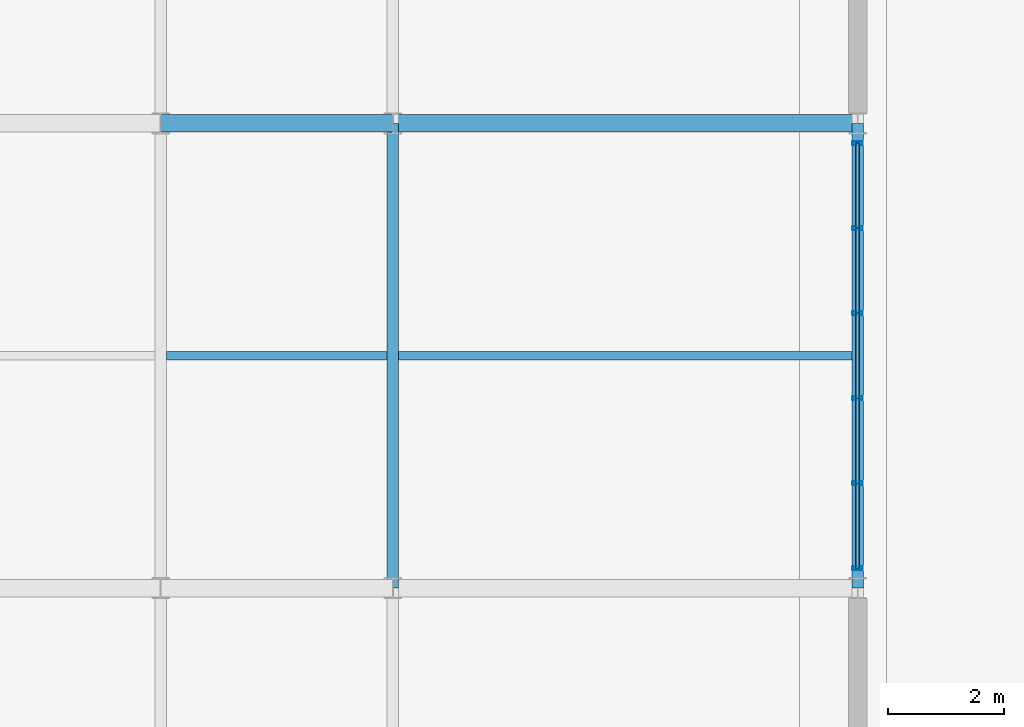
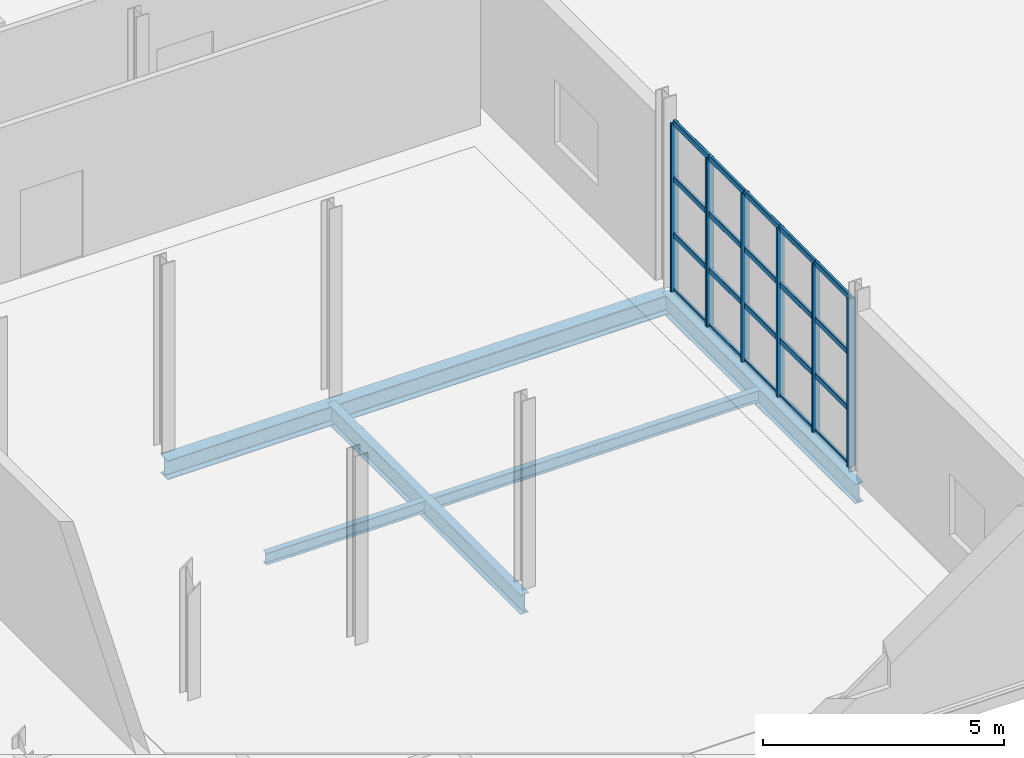
# One storey, part 100 of 143: 26 members, 6 beams, 1 element without a shape of its own.
"""IFC4 building model written with IfcOpenShell, lengths in metres."""

from ifc_helpers import new_model, si_unit, derived_unit, direction, frame, origin, origin_2d, place, context, subcontext, project, spatial, hollow_rectangle, i_section, extrude, material, material_profile, profile_set, type_object, element, aggregate, save


model = new_model("IFC4")

# Units and contexts
model_context = context("Model", 3, precision=1e-05, world=origin(), true_north=direction((0.0, 1.0)))
body_context = subcontext(model_context, "Body", "Model", "MODEL_VIEW")
ifc_project = project(units=[si_unit("LENGTHUNIT", "METRE"), si_unit("AREAUNIT", "SQUARE_METRE"), si_unit("VOLUMEUNIT", "CUBIC_METRE"), si_unit("PLANEANGLEUNIT", "RADIAN"), si_unit("MASSUNIT", "GRAM", prefix="KILO"), derived_unit("THERMALTRANSMITTANCEUNIT", [(si_unit("POWERUNIT", "WATT"), 1), (si_unit("LENGTHUNIT", "METRE"), -2), (si_unit("THERMODYNAMICTEMPERATUREUNIT", "KELVIN"), -1)])], contexts=[model_context])

# Site, building, storey
site_placement = place(None, origin())
site = spatial("IfcSite", under=ifc_project, at=site_placement, CompositionType="ELEMENT")
building_placement = place(site_placement, origin())
building = spatial("IfcBuilding", under=site, at=building_placement, Name="Keldorne Ridge Multi-Sports Centre", CompositionType="ELEMENT")
storey_placement = place(building_placement, frame((0.0, 0.0, 4.800048828125)))
storey = spatial("IfcBuildingStorey", under=building, at=storey_placement, Name="L01", CompositionType="ELEMENT", Elevation=4.800048828125)

# Beams
ifc_material_1 = material(Name="Steel S355", Category="steel")
ifc_material_profile_1 = material_profile(ifc_material_1, i_section(OverallWidth=0.199951171875, OverallDepth=0.5, WebThickness=0.01025390625, FlangeThickness=0.01611328125, FilletRadius=0.02099609375, at=origin_2d()), Name="IPE 500")
ifc_profile_set_1 = profile_set([ifc_material_profile_1], Name="Steel S355")
beam_type_1 = type_object("IfcBeamType", Name="BM-B-02", PredefinedType="BEAM", material=ifc_profile_set_1)
for number, where, z_axis, x_axis, name in (
    (1, (152.0, 74.0, -0.469970703125), (0.0, 1.0, 0.0), (-1.0, 0.0, 0.0), "L01 primary girder 152.2"),
    (2, (160.0, 74.0, -0.469970703125), (0.0, 1.0, 0.0), (-1.0, 0.0, 0.0), "L01 primary girder 160.2"),
):
    element("IfcBeam", number, at=place(storey_placement, frame(where, z_axis=z_axis, x_axis=x_axis)), inside=storey, type_object=beam_type_1, Name=name, PredefinedType="BEAM", context=body_context, shape_type="SweptSolid", body=[
        extrude(i_section(OverallWidth=0.199951171875, OverallDepth=0.5, WebThickness=0.01025390625, FlangeThickness=0.01611328125, FilletRadius=0.02099609375, at=origin_2d()), origin(), (0.0, 0.0, 1.0), 8.0),
    ])
ifc_material_profile_2 = material_profile(ifc_material_1, i_section(OverallWidth=0.300048828125, OverallDepth=0.489990234375, WebThickness=0.011962890625, FlangeThickness=0.02294921875, FilletRadius=0.027099609375, at=origin_2d()), Name="HEA 500")
ifc_profile_set_2 = profile_set([ifc_material_profile_2], Name="Steel S355")
beam_type_2 = type_object("IfcBeamType", Name="BM-B-08", PredefinedType="BEAM", material=ifc_profile_set_2)
beam_1_placement = place(storey_placement, frame((148.0, 82.0, -0.465087890625), z_axis=(1.0, 0.0, 0.0), x_axis=(0.0, 1.0, 0.0)))
element("IfcBeam", 3, at=beam_1_placement, inside=storey, type_object=beam_type_2, Name="L01 primary beam 10.82", PredefinedType="BEAM", context=body_context, shape_type="SweptSolid", body=[
    extrude(i_section(OverallWidth=0.300048828125, OverallDepth=0.489990234375, WebThickness=0.011962890625, FlangeThickness=0.02294921875, FilletRadius=0.027099609375, at=origin_2d()), origin(), (0.0, 0.0, 1.0), 4.0),
])
beam_2_placement = place(storey_placement, frame((152.0, 82.0, -0.465087890625), z_axis=(1.0, 0.0, 0.0), x_axis=(0.0, 1.0, 0.0)))
element("IfcBeam", 4, at=beam_2_placement, inside=storey, type_object=beam_type_2, Name="L01 primary beam 11.82", PredefinedType="BEAM", context=body_context, shape_type="SweptSolid", body=[
    extrude(i_section(OverallWidth=0.300048828125, OverallDepth=0.489990234375, WebThickness=0.011962890625, FlangeThickness=0.02294921875, FilletRadius=0.027099609375, at=origin_2d()), origin(), (0.0, 0.0, 1.0), 8.0),
])
ifc_material_profile_3 = material_profile(ifc_material_1, i_section(OverallWidth=0.14990234375, OverallDepth=0.300048828125, WebThickness=0.007080078125, FlangeThickness=0.0107421875, FilletRadius=0.014892578125, at=origin_2d()), Name="IPE 300")
ifc_profile_set_3 = profile_set([ifc_material_profile_3], Name="Steel S355")
beam_type_3 = type_object("IfcBeamType", Name="BM-J-02", PredefinedType="JOIST", material=ifc_profile_set_3)
beam_3_placement = place(storey_placement, frame((148.10009765625, 78.0, -0.3701171875), z_axis=(1.0, 0.0, 0.0), x_axis=(0.0, 1.0, 0.0)))
element("IfcBeam", 5, at=beam_3_placement, inside=storey, type_object=beam_type_3, Name="L01 secondary joist 10.2", PredefinedType="JOIST", context=body_context, shape_type="SweptSolid", body=[
    extrude(i_section(OverallWidth=0.14990234375, OverallDepth=0.300048828125, WebThickness=0.007080078125, FlangeThickness=0.0107421875, FilletRadius=0.014892578125, at=origin_2d()), origin(), (0.0, 0.0, 1.0), 3.7998046875),
])
beam_4_placement = place(storey_placement, frame((152.10009765625, 78.0, -0.3701171875), z_axis=(1.0, 0.0, 0.0), x_axis=(0.0, 1.0, 0.0)))
element("IfcBeam", 6, at=beam_4_placement, inside=storey, type_object=beam_type_3, Name="L01 secondary joist 11.2", PredefinedType="JOIST", context=body_context, shape_type="SweptSolid", body=[
    extrude(i_section(OverallWidth=0.14990234375, OverallDepth=0.300048828125, WebThickness=0.007080078125, FlangeThickness=0.0107421875, FilletRadius=0.014892578125, at=origin_2d()), origin(), (0.0, 0.0, 1.0), 7.7998046875),
])

# Curtain wall, members
ifc_material_2 = material(Name="Anodized aluminium", Category="aluminium")
curtain_wall_type = type_object("IfcCurtainWallType", Name="CW-CW-01", PredefinedType="NOTDEFINED", material=ifc_material_2)
curtain_wall_placement = place(storey_placement, origin())
curtain_wall = element("IfcCurtainWall", 7, at=curtain_wall_placement, inside=storey, type_object=curtain_wall_type, Name="East Wing L01 east curtain wall 145", PredefinedType="NOTDEFINED")
ifc_material_profile_4 = material_profile(ifc_material_2, hollow_rectangle(XDim=0.06494140625, YDim=0.179931640625, WallThickness=0.00439453125, InnerFilletRadius=0.00439453125, OuterFilletRadius=0.009033203125, at=origin_2d()), Name="ALU MULLION 180x65x4.5")
ifc_profile_set_4 = profile_set([ifc_material_profile_4], Name="Anodized aluminium")
member_type_1 = type_object("IfcMemberType", Name="MEM-ML-01", PredefinedType="MULLION", material=ifc_profile_set_4)
member_1_placement = place(storey_placement, frame((160.0, 74.340087890625, 0.0), z_axis=(0.0, 0.0, 1.0), x_axis=(0.0, 1.0, 0.0)))
member_1 = element("IfcMember", 8, at=member_1_placement, type_object=member_type_1, Name="CW-145 vertical mullion 1", PredefinedType="MULLION", context=body_context, shape_type="SweptSolid", body=[
    extrude(hollow_rectangle(XDim=0.06494140625, YDim=0.179931640625, WallThickness=0.00439453125, InnerFilletRadius=0.00439453125, OuterFilletRadius=0.009033203125, at=origin_2d()), origin(), (0.0, 0.0, 1.0), 4.25),
])
member_2_placement = place(storey_placement, frame((160.0, 75.803955078125, 0.0), z_axis=(0.0, 0.0, 1.0), x_axis=(0.0, 1.0, 0.0)))
member_2 = element("IfcMember", 9, at=member_2_placement, type_object=member_type_1, Name="CW-145 vertical mullion 2", PredefinedType="MULLION", context=body_context, shape_type="SweptSolid", body=[
    extrude(hollow_rectangle(XDim=0.06494140625, YDim=0.179931640625, WallThickness=0.00439453125, InnerFilletRadius=0.00439453125, OuterFilletRadius=0.009033203125, at=origin_2d()), origin(), (0.0, 0.0, 1.0), 4.25),
])
member_3_placement = place(storey_placement, frame((160.0, 77.26806640625, 0.0), z_axis=(0.0, 0.0, 1.0), x_axis=(0.0, 1.0, 0.0)))
member_3 = element("IfcMember", 10, at=member_3_placement, type_object=member_type_1, Name="CW-145 vertical mullion 3", PredefinedType="MULLION", context=body_context, shape_type="SweptSolid", body=[
    extrude(hollow_rectangle(XDim=0.06494140625, YDim=0.179931640625, WallThickness=0.00439453125, InnerFilletRadius=0.00439453125, OuterFilletRadius=0.009033203125, at=origin_2d()), origin(), (0.0, 0.0, 1.0), 4.25),
])
member_4_placement = place(storey_placement, frame((160.0, 78.73193359375, 0.0), z_axis=(0.0, 0.0, 1.0), x_axis=(0.0, 1.0, 0.0)))
member_4 = element("IfcMember", 11, at=member_4_placement, type_object=member_type_1, Name="CW-145 vertical mullion 4", PredefinedType="MULLION", context=body_context, shape_type="SweptSolid", body=[
    extrude(hollow_rectangle(XDim=0.06494140625, YDim=0.179931640625, WallThickness=0.00439453125, InnerFilletRadius=0.00439453125, OuterFilletRadius=0.009033203125, at=origin_2d()), origin(), (0.0, 0.0, 1.0), 4.25),
])
member_5_placement = place(storey_placement, frame((160.0, 80.196044921875, 0.0), z_axis=(0.0, 0.0, 1.0), x_axis=(0.0, 1.0, 0.0)))
member_5 = element("IfcMember", 12, at=member_5_placement, type_object=member_type_1, Name="CW-145 vertical mullion 5", PredefinedType="MULLION", context=body_context, shape_type="SweptSolid", body=[
    extrude(hollow_rectangle(XDim=0.06494140625, YDim=0.179931640625, WallThickness=0.00439453125, InnerFilletRadius=0.00439453125, OuterFilletRadius=0.009033203125, at=origin_2d()), origin(), (0.0, 0.0, 1.0), 4.25),
])
member_6_placement = place(storey_placement, frame((160.0, 81.659912109375, 0.0), z_axis=(0.0, 0.0, 1.0), x_axis=(0.0, 1.0, 0.0)))
member_6 = element("IfcMember", 13, at=member_6_placement, type_object=member_type_1, Name="CW-145 vertical mullion 6", PredefinedType="MULLION", context=body_context, shape_type="SweptSolid", body=[
    extrude(hollow_rectangle(XDim=0.06494140625, YDim=0.179931640625, WallThickness=0.00439453125, InnerFilletRadius=0.00439453125, OuterFilletRadius=0.009033203125, at=origin_2d()), origin(), (0.0, 0.0, 1.0), 4.25),
])
ifc_material_profile_5 = material_profile(ifc_material_2, hollow_rectangle(XDim=0.06494140625, YDim=0.139892578125, WallThickness=0.00439453125, InnerFilletRadius=0.00439453125, OuterFilletRadius=0.009033203125, at=origin_2d()), Name="ALU TRANSOM 140x65x4.5")
ifc_profile_set_5 = profile_set([ifc_material_profile_5], Name="Anodized aluminium")
member_type_2 = type_object("IfcMemberType", Name="MEM-TR-01", PredefinedType="USERDEFINED", material=ifc_profile_set_5)
member_7_placement = place(storey_placement, frame((160.0, 74.340087890625, 0.0), z_axis=(0.0, 1.0, 0.0), x_axis=(-1.0, 0.0, 0.0)))
member_7 = element("IfcMember", 14, at=member_7_placement, type_object=member_type_2, Name="CW-145 transom 1.1", ObjectType="TRANSOM", PredefinedType="USERDEFINED", context=body_context, shape_type="SweptSolid", body=[
    extrude(hollow_rectangle(XDim=0.06494140625, YDim=0.139892578125, WallThickness=0.00439453125, InnerFilletRadius=0.00439453125, OuterFilletRadius=0.009033203125, at=origin_2d()), origin(), (0.0, 0.0, 1.0), 1.4638671875),
])
member_8_placement = place(storey_placement, frame((160.0, 74.340087890625, 1.416748046875), z_axis=(0.0, 1.0, 0.0), x_axis=(-1.0, 0.0, 0.0)))
member_8 = element("IfcMember", 15, at=member_8_placement, type_object=member_type_2, Name="CW-145 transom 1.2", ObjectType="TRANSOM", PredefinedType="USERDEFINED", context=body_context, shape_type="SweptSolid", body=[
    extrude(hollow_rectangle(XDim=0.06494140625, YDim=0.139892578125, WallThickness=0.00439453125, InnerFilletRadius=0.00439453125, OuterFilletRadius=0.009033203125, at=origin_2d()), origin(), (0.0, 0.0, 1.0), 1.4638671875),
])
member_9_placement = place(storey_placement, frame((160.0, 74.340087890625, 2.833251953125), z_axis=(0.0, 1.0, 0.0), x_axis=(-1.0, 0.0, 0.0)))
member_9 = element("IfcMember", 16, at=member_9_placement, type_object=member_type_2, Name="CW-145 transom 1.3", ObjectType="TRANSOM", PredefinedType="USERDEFINED", context=body_context, shape_type="SweptSolid", body=[
    extrude(hollow_rectangle(XDim=0.06494140625, YDim=0.139892578125, WallThickness=0.00439453125, InnerFilletRadius=0.00439453125, OuterFilletRadius=0.009033203125, at=origin_2d()), origin(), (0.0, 0.0, 1.0), 1.4638671875),
])
member_10_placement = place(storey_placement, frame((160.0, 74.340087890625, 4.25), z_axis=(0.0, 1.0, 0.0), x_axis=(-1.0, 0.0, 0.0)))
member_10 = element("IfcMember", 17, at=member_10_placement, type_object=member_type_2, Name="CW-145 transom 1.4", ObjectType="TRANSOM", PredefinedType="USERDEFINED", context=body_context, shape_type="SweptSolid", body=[
    extrude(hollow_rectangle(XDim=0.06494140625, YDim=0.139892578125, WallThickness=0.00439453125, InnerFilletRadius=0.00439453125, OuterFilletRadius=0.009033203125, at=origin_2d()), origin(), (0.0, 0.0, 1.0), 1.4638671875),
])
member_11_placement = place(storey_placement, frame((160.0, 75.803955078125, 0.0), z_axis=(0.0, 1.0, 0.0), x_axis=(-1.0, 0.0, 0.0)))
member_11 = element("IfcMember", 18, at=member_11_placement, type_object=member_type_2, Name="CW-145 transom 2.1", ObjectType="TRANSOM", PredefinedType="USERDEFINED", context=body_context, shape_type="SweptSolid", body=[
    extrude(hollow_rectangle(XDim=0.06494140625, YDim=0.139892578125, WallThickness=0.00439453125, InnerFilletRadius=0.00439453125, OuterFilletRadius=0.009033203125, at=origin_2d()), origin(), (0.0, 0.0, 1.0), 1.464111328125),
])
member_12_placement = place(storey_placement, frame((160.0, 75.803955078125, 1.416748046875), z_axis=(0.0, 1.0, 0.0), x_axis=(-1.0, 0.0, 0.0)))
member_12 = element("IfcMember", 19, at=member_12_placement, type_object=member_type_2, Name="CW-145 transom 2.2", ObjectType="TRANSOM", PredefinedType="USERDEFINED", context=body_context, shape_type="SweptSolid", body=[
    extrude(hollow_rectangle(XDim=0.06494140625, YDim=0.139892578125, WallThickness=0.00439453125, InnerFilletRadius=0.00439453125, OuterFilletRadius=0.009033203125, at=origin_2d()), origin(), (0.0, 0.0, 1.0), 1.464111328125),
])
member_13_placement = place(storey_placement, frame((160.0, 75.803955078125, 2.833251953125), z_axis=(0.0, 1.0, 0.0), x_axis=(-1.0, 0.0, 0.0)))
member_13 = element("IfcMember", 20, at=member_13_placement, type_object=member_type_2, Name="CW-145 transom 2.3", ObjectType="TRANSOM", PredefinedType="USERDEFINED", context=body_context, shape_type="SweptSolid", body=[
    extrude(hollow_rectangle(XDim=0.06494140625, YDim=0.139892578125, WallThickness=0.00439453125, InnerFilletRadius=0.00439453125, OuterFilletRadius=0.009033203125, at=origin_2d()), origin(), (0.0, 0.0, 1.0), 1.464111328125),
])
member_14_placement = place(storey_placement, frame((160.0, 75.803955078125, 4.25), z_axis=(0.0, 1.0, 0.0), x_axis=(-1.0, 0.0, 0.0)))
member_14 = element("IfcMember", 21, at=member_14_placement, type_object=member_type_2, Name="CW-145 transom 2.4", ObjectType="TRANSOM", PredefinedType="USERDEFINED", context=body_context, shape_type="SweptSolid", body=[
    extrude(hollow_rectangle(XDim=0.06494140625, YDim=0.139892578125, WallThickness=0.00439453125, InnerFilletRadius=0.00439453125, OuterFilletRadius=0.009033203125, at=origin_2d()), origin(), (0.0, 0.0, 1.0), 1.464111328125),
])
member_15_placement = place(storey_placement, frame((160.0, 77.26806640625, 0.0), z_axis=(0.0, 1.0, 0.0), x_axis=(-1.0, 0.0, 0.0)))
member_15 = element("IfcMember", 22, at=member_15_placement, type_object=member_type_2, Name="CW-145 transom 3.1", ObjectType="TRANSOM", PredefinedType="USERDEFINED", context=body_context, shape_type="SweptSolid", body=[
    extrude(hollow_rectangle(XDim=0.06494140625, YDim=0.139892578125, WallThickness=0.00439453125, InnerFilletRadius=0.00439453125, OuterFilletRadius=0.009033203125, at=origin_2d()), origin(), (0.0, 0.0, 1.0), 1.4638671875),
])
member_16_placement = place(storey_placement, frame((160.0, 77.26806640625, 1.416748046875), z_axis=(0.0, 1.0, 0.0), x_axis=(-1.0, 0.0, 0.0)))
member_16 = element("IfcMember", 23, at=member_16_placement, type_object=member_type_2, Name="CW-145 transom 3.2", ObjectType="TRANSOM", PredefinedType="USERDEFINED", context=body_context, shape_type="SweptSolid", body=[
    extrude(hollow_rectangle(XDim=0.06494140625, YDim=0.139892578125, WallThickness=0.00439453125, InnerFilletRadius=0.00439453125, OuterFilletRadius=0.009033203125, at=origin_2d()), origin(), (0.0, 0.0, 1.0), 1.4638671875),
])
member_17_placement = place(storey_placement, frame((160.0, 77.26806640625, 2.833251953125), z_axis=(0.0, 1.0, 0.0), x_axis=(-1.0, 0.0, 0.0)))
member_17 = element("IfcMember", 24, at=member_17_placement, type_object=member_type_2, Name="CW-145 transom 3.3", ObjectType="TRANSOM", PredefinedType="USERDEFINED", context=body_context, shape_type="SweptSolid", body=[
    extrude(hollow_rectangle(XDim=0.06494140625, YDim=0.139892578125, WallThickness=0.00439453125, InnerFilletRadius=0.00439453125, OuterFilletRadius=0.009033203125, at=origin_2d()), origin(), (0.0, 0.0, 1.0), 1.4638671875),
])
member_18_placement = place(storey_placement, frame((160.0, 77.26806640625, 4.25), z_axis=(0.0, 1.0, 0.0), x_axis=(-1.0, 0.0, 0.0)))
member_18 = element("IfcMember", 25, at=member_18_placement, type_object=member_type_2, Name="CW-145 transom 3.4", ObjectType="TRANSOM", PredefinedType="USERDEFINED", context=body_context, shape_type="SweptSolid", body=[
    extrude(hollow_rectangle(XDim=0.06494140625, YDim=0.139892578125, WallThickness=0.00439453125, InnerFilletRadius=0.00439453125, OuterFilletRadius=0.009033203125, at=origin_2d()), origin(), (0.0, 0.0, 1.0), 1.4638671875),
])
member_19_placement = place(storey_placement, frame((160.0, 78.73193359375, 0.0), z_axis=(0.0, 1.0, 0.0), x_axis=(-1.0, 0.0, 0.0)))
member_19 = element("IfcMember", 26, at=member_19_placement, type_object=member_type_2, Name="CW-145 transom 4.1", ObjectType="TRANSOM", PredefinedType="USERDEFINED", context=body_context, shape_type="SweptSolid", body=[
    extrude(hollow_rectangle(XDim=0.06494140625, YDim=0.139892578125, WallThickness=0.00439453125, InnerFilletRadius=0.00439453125, OuterFilletRadius=0.009033203125, at=origin_2d()), origin(), (0.0, 0.0, 1.0), 1.464111328125),
])
member_20_placement = place(storey_placement, frame((160.0, 78.73193359375, 1.416748046875), z_axis=(0.0, 1.0, 0.0), x_axis=(-1.0, 0.0, 0.0)))
member_20 = element("IfcMember", 27, at=member_20_placement, type_object=member_type_2, Name="CW-145 transom 4.2", ObjectType="TRANSOM", PredefinedType="USERDEFINED", context=body_context, shape_type="SweptSolid", body=[
    extrude(hollow_rectangle(XDim=0.06494140625, YDim=0.139892578125, WallThickness=0.00439453125, InnerFilletRadius=0.00439453125, OuterFilletRadius=0.009033203125, at=origin_2d()), origin(), (0.0, 0.0, 1.0), 1.464111328125),
])
member_21_placement = place(storey_placement, frame((160.0, 78.73193359375, 2.833251953125), z_axis=(0.0, 1.0, 0.0), x_axis=(-1.0, 0.0, 0.0)))
member_21 = element("IfcMember", 28, at=member_21_placement, type_object=member_type_2, Name="CW-145 transom 4.3", ObjectType="TRANSOM", PredefinedType="USERDEFINED", context=body_context, shape_type="SweptSolid", body=[
    extrude(hollow_rectangle(XDim=0.06494140625, YDim=0.139892578125, WallThickness=0.00439453125, InnerFilletRadius=0.00439453125, OuterFilletRadius=0.009033203125, at=origin_2d()), origin(), (0.0, 0.0, 1.0), 1.464111328125),
])
member_22_placement = place(storey_placement, frame((160.0, 78.73193359375, 4.25), z_axis=(0.0, 1.0, 0.0), x_axis=(-1.0, 0.0, 0.0)))
member_22 = element("IfcMember", 29, at=member_22_placement, type_object=member_type_2, Name="CW-145 transom 4.4", ObjectType="TRANSOM", PredefinedType="USERDEFINED", context=body_context, shape_type="SweptSolid", body=[
    extrude(hollow_rectangle(XDim=0.06494140625, YDim=0.139892578125, WallThickness=0.00439453125, InnerFilletRadius=0.00439453125, OuterFilletRadius=0.009033203125, at=origin_2d()), origin(), (0.0, 0.0, 1.0), 1.464111328125),
])
member_23_placement = place(storey_placement, frame((160.0, 80.196044921875, 0.0), z_axis=(0.0, 1.0, 0.0), x_axis=(-1.0, 0.0, 0.0)))
member_23 = element("IfcMember", 30, at=member_23_placement, type_object=member_type_2, Name="CW-145 transom 5.1", ObjectType="TRANSOM", PredefinedType="USERDEFINED", context=body_context, shape_type="SweptSolid", body=[
    extrude(hollow_rectangle(XDim=0.06494140625, YDim=0.139892578125, WallThickness=0.00439453125, InnerFilletRadius=0.00439453125, OuterFilletRadius=0.009033203125, at=origin_2d()), origin(), (0.0, 0.0, 1.0), 1.4638671875),
])
member_24_placement = place(storey_placement, frame((160.0, 80.196044921875, 1.416748046875), z_axis=(0.0, 1.0, 0.0), x_axis=(-1.0, 0.0, 0.0)))
member_24 = element("IfcMember", 31, at=member_24_placement, type_object=member_type_2, Name="CW-145 transom 5.2", ObjectType="TRANSOM", PredefinedType="USERDEFINED", context=body_context, shape_type="SweptSolid", body=[
    extrude(hollow_rectangle(XDim=0.06494140625, YDim=0.139892578125, WallThickness=0.00439453125, InnerFilletRadius=0.00439453125, OuterFilletRadius=0.009033203125, at=origin_2d()), origin(), (0.0, 0.0, 1.0), 1.4638671875),
])
member_25_placement = place(storey_placement, frame((160.0, 80.196044921875, 2.833251953125), z_axis=(0.0, 1.0, 0.0), x_axis=(-1.0, 0.0, 0.0)))
member_25 = element("IfcMember", 32, at=member_25_placement, type_object=member_type_2, Name="CW-145 transom 5.3", ObjectType="TRANSOM", PredefinedType="USERDEFINED", context=body_context, shape_type="SweptSolid", body=[
    extrude(hollow_rectangle(XDim=0.06494140625, YDim=0.139892578125, WallThickness=0.00439453125, InnerFilletRadius=0.00439453125, OuterFilletRadius=0.009033203125, at=origin_2d()), origin(), (0.0, 0.0, 1.0), 1.4638671875),
])
member_26_placement = place(storey_placement, frame((160.0, 80.196044921875, 4.25), z_axis=(0.0, 1.0, 0.0), x_axis=(-1.0, 0.0, 0.0)))
member_26 = element("IfcMember", 33, at=member_26_placement, type_object=member_type_2, Name="CW-145 transom 5.4", ObjectType="TRANSOM", PredefinedType="USERDEFINED", context=body_context, shape_type="SweptSolid", body=[
    extrude(hollow_rectangle(XDim=0.06494140625, YDim=0.139892578125, WallThickness=0.00439453125, InnerFilletRadius=0.00439453125, OuterFilletRadius=0.009033203125, at=origin_2d()), origin(), (0.0, 0.0, 1.0), 1.4638671875),
])
aggregate(curtain_wall, [member_1, member_2, member_3, member_4, member_5, member_6, member_7, member_8, member_9, member_10, member_11, member_12, member_13, member_14, member_15, member_16, member_17, member_18, member_19, member_20, member_21, member_22, member_23, member_24, member_25, member_26])

save(model, "model.ifc")
